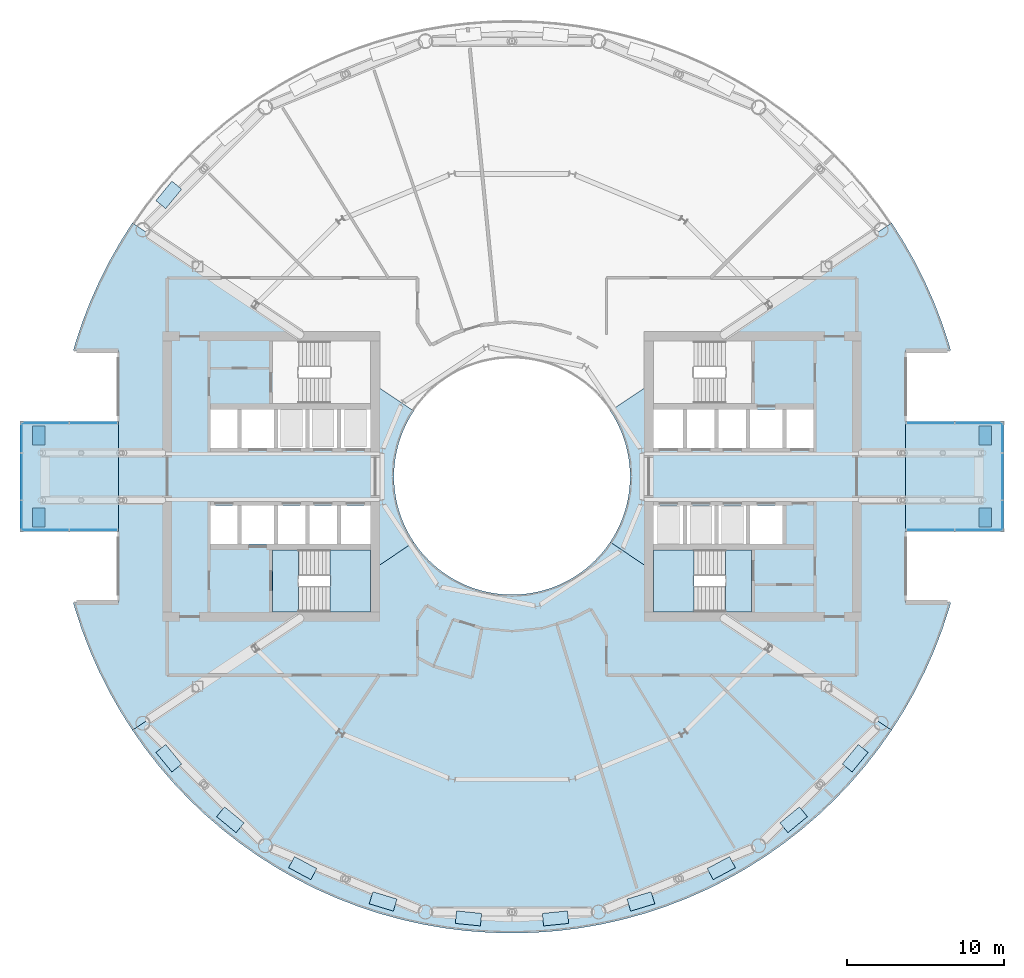
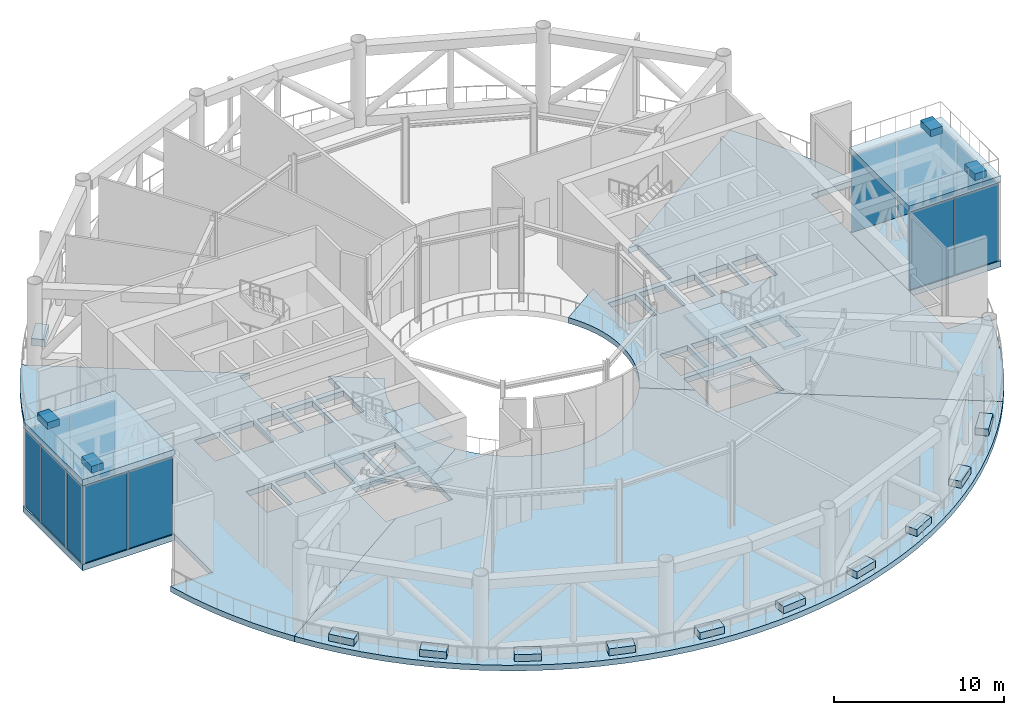
# One storey, part 11 of 25: 28 slabs, 14 plates, 8 elements without a shape of their own.
"""IFC4 building model written with IfcOpenShell, lengths in metres."""

from ifc_helpers import new_model, si_unit, direction, frame, origin, origin_2d, place, context, subcontext, project, spatial, polyline, rectangle, outline, extrude, material, layer, layer_set, type_object, element, aggregate, save


model = new_model("IFC4")

# Units and contexts
model_context = context("Model", 3, precision=1e-05, world=origin(), true_north=direction((0.0, 1.0)))
body_context = subcontext(model_context, "Body", "Model", "MODEL_VIEW")
ifc_project = project(units=[si_unit("LENGTHUNIT", "METRE"), si_unit("AREAUNIT", "SQUARE_METRE"), si_unit("VOLUMEUNIT", "CUBIC_METRE"), si_unit("PLANEANGLEUNIT", "RADIAN"), si_unit("MASSUNIT", "GRAM", prefix="KILO")], contexts=[model_context])

# Site, building, storey
site_placement = place(None, origin())
site = spatial("IfcSite", under=ifc_project, at=site_placement, CompositionType="ELEMENT")
building_placement = place(site_placement, origin())
building = spatial("IfcBuilding", under=site, at=building_placement, Name="Maasbend Ring Residences", CompositionType="ELEMENT")
storey_placement = place(building_placement, frame((0.0, 0.0, 139.10009765625)))
storey = spatial("IfcBuildingStorey", under=building, at=storey_placement, Name="L40", CompositionType="ELEMENT", Elevation=139.10009765625)

# Stair, slabs
ifc_material_1 = material(Name="Concrete C40/50", Category="concrete")
stair_type = type_object("IfcStairType", Name="CORE STAIR 36 RISERS", PredefinedType="HALF_TURN_STAIR", material=ifc_material_1)
stair_1_placement = place(storey_placement, origin())
stair_1 = element("IfcStair", 1, at=stair_1_placement, inside=storey, type_object=stair_type, Name="L40 Exit stair ST-E2", PredefinedType="HALF_TURN_STAIR")
ifc_material_2 = material(Name="Concrete C40/50", Category="concrete")
ifc_layer_1 = layer(ifc_material_2, 0.199951171875)
ifc_layer_set_1 = layer_set([ifc_layer_1], Name="Concrete C40/50")
slab_type_1 = type_object("IfcSlabType", Name="CORE STAIR LANDING 200", PredefinedType="LANDING", material=ifc_layer_set_1)
slab_1_placement = place(storey_placement, frame((0.0, 0.0, 1.324951171875)))
slab_1 = element("IfcSlab", 2, at=slab_1_placement, type_object=slab_type_1, Name="ST-E2 landing 1", PredefinedType="LANDING", context=body_context, shape_type="SweptSolid", body=[
    extrude(outline(polyline([(11.550048828125, -4.64990234375), (9.0, -4.64990234375), (9.0, -8.60009765625), (11.550048828125, -8.60009765625), (11.550048828125, -4.64990234375)])), origin(), (0.0, 0.0, 1.0), 0.199951171875),
])
slab_2_placement = place(storey_placement, frame((0.0, 0.0, 2.849853515625)))
slab_2 = element("IfcSlab", 3, at=slab_2_placement, type_object=slab_type_1, Name="ST-E2 landing 2", PredefinedType="LANDING", context=body_context, shape_type="SweptSolid", body=[
    extrude(outline(polyline([(15.199951171875, -4.64990234375), (13.550048828125, -4.64990234375), (13.550048828125, -8.60009765625), (15.199951171875, -8.60009765625), (15.199951171875, -4.64990234375)])), origin(), (0.0, 0.0, 1.0), 0.199951171875),
])
slab_3_placement = place(storey_placement, frame((0.0, 0.0, 4.375)))
slab_3 = element("IfcSlab", 4, at=slab_3_placement, type_object=slab_type_1, Name="ST-E2 landing 3", PredefinedType="LANDING", context=body_context, shape_type="SweptSolid", body=[
    extrude(outline(polyline([(11.550048828125, -4.64990234375), (9.0, -4.64990234375), (9.0, -8.60009765625), (11.550048828125, -8.60009765625), (11.550048828125, -4.64990234375)])), origin(), (0.0, 0.0, 1.0), 0.199951171875),
])
aggregate(stair_1, [slab_1, slab_2, slab_3])

stair_2_placement = place(storey_placement, origin())
stair_2 = element("IfcStair", 5, at=stair_2_placement, inside=storey, type_object=stair_type, Name="L40 Exit stair ST-W1", PredefinedType="HALF_TURN_STAIR")
slab_4_placement = place(storey_placement, frame((0.0, 0.0, 1.324951171875)))
slab_4 = element("IfcSlab", 6, at=slab_4_placement, type_object=slab_type_1, Name="ST-W1 landing 1", PredefinedType="LANDING", context=body_context, shape_type="SweptSolid", body=[
    extrude(outline(polyline([(-11.550048828125, -8.60009765625), (-9.0, -8.60009765625), (-9.0, -4.64990234375), (-11.550048828125, -4.64990234375), (-11.550048828125, -8.60009765625)])), origin(), (0.0, 0.0, 1.0), 0.199951171875),
])
slab_5_placement = place(storey_placement, frame((0.0, 0.0, 2.849853515625)))
slab_5 = element("IfcSlab", 7, at=slab_5_placement, type_object=slab_type_1, Name="ST-W1 landing 2", PredefinedType="LANDING", context=body_context, shape_type="SweptSolid", body=[
    extrude(outline(polyline([(-15.199951171875, -8.60009765625), (-13.550048828125, -8.60009765625), (-13.550048828125, -4.64990234375), (-15.199951171875, -4.64990234375), (-15.199951171875, -8.60009765625)])), origin(), (0.0, 0.0, 1.0), 0.199951171875),
])
slab_6_placement = place(storey_placement, frame((0.0, 0.0, 4.375)))
slab_6 = element("IfcSlab", 8, at=slab_6_placement, type_object=slab_type_1, Name="ST-W1 landing 3", PredefinedType="LANDING", context=body_context, shape_type="SweptSolid", body=[
    extrude(outline(polyline([(-11.550048828125, -8.60009765625), (-9.0, -8.60009765625), (-9.0, -4.64990234375), (-11.550048828125, -4.64990234375), (-11.550048828125, -8.60009765625)])), origin(), (0.0, 0.0, 1.0), 0.199951171875),
])
aggregate(stair_2, [slab_4, slab_5, slab_6])

# Curtain wall, plates
ifc_material_3 = material(Name="Aluminium and clear glass", Category="aluminium")
ifc_layer_2 = layer(ifc_material_3, 0.199951171875)
ifc_layer_set_2 = layer_set([ifc_layer_2], Name="CW-GR")
curtain_wall_type = type_object("IfcCurtainWallType", Name="CW-GR", PredefinedType="NOTDEFINED", material=ifc_layer_set_2)
curtain_wall_1_placement = place(storey_placement, origin())
curtain_wall_1 = element("IfcCurtainWall", 9, at=curtain_wall_1_placement, inside=storey, type_object=curtain_wall_type, Name="Glass lounge curtain wall tip", PredefinedType="NOTDEFINED")
ifc_material_4 = material(Name="Glass clear laminated", Category="glass")
ifc_layer_3 = layer(ifc_material_4, 0.035888671875)
ifc_layer_set_3 = layer_set([ifc_layer_3], Name="CWP-GR")
plate_type = type_object("IfcPlateType", Name="CWP-GR", PredefinedType="CURTAIN_PANEL", material=ifc_layer_set_3)
plate_1_placement = place(storey_placement, frame((31.14990234375, -2.482421875, 0.0), z_axis=(0.0, 0.0, 1.0), x_axis=(0.0, 1.0, 0.0)))
plate_1 = element("IfcPlate", 10, at=plate_1_placement, type_object=plate_type, Name="Glass panel glass room", PredefinedType="CURTAIN_PANEL", context=body_context, shape_type="SweptSolid", body=[
    extrude(rectangle(XDim=1.89501953125, YDim=0.035888671875, at=origin_2d()), origin(), (0.0, 0.0, 1.0), 5.510009765625),
])
plate_2_placement = place(storey_placement, frame((31.14990234375, 0.0, 0.0), z_axis=(0.0, 0.0, 1.0), x_axis=(0.0, 1.0, 0.0)))
plate_2 = element("IfcPlate", 11, at=plate_2_placement, type_object=plate_type, Name="Glass panel glass room", PredefinedType="CURTAIN_PANEL", context=body_context, shape_type="SweptSolid", body=[
    extrude(rectangle(XDim=2.929931640625, YDim=0.035888671875, at=origin_2d()), origin(), (0.0, 0.0, 1.0), 5.510009765625),
])
plate_3_placement = place(storey_placement, frame((31.14990234375, 2.482421875, 0.0), z_axis=(0.0, 0.0, 1.0), x_axis=(0.0, 1.0, 0.0)))
plate_3 = element("IfcPlate", 12, at=plate_3_placement, type_object=plate_type, Name="Glass panel glass room", PredefinedType="CURTAIN_PANEL", context=body_context, shape_type="SweptSolid", body=[
    extrude(rectangle(XDim=1.89501953125, YDim=0.035888671875, at=origin_2d()), origin(), (0.0, 0.0, 1.0), 5.510009765625),
])
aggregate(curtain_wall_1, [plate_1, plate_2, plate_3])

curtain_wall_2_placement = place(storey_placement, origin())
curtain_wall_2 = element("IfcCurtainWall", 13, at=curtain_wall_2_placement, inside=storey, type_object=curtain_wall_type, Name="Glass lounge curtain wall south", PredefinedType="NOTDEFINED")
plate_4_placement = place(storey_placement, frame((26.580078125, -3.39990234375, 0.0), z_axis=(0.0, 0.0, 1.0), x_axis=(1.0, 0.0, 0.0)))
plate_4 = element("IfcPlate", 14, at=plate_4_placement, type_object=plate_type, Name="Glass panel glass room", PredefinedType="CURTAIN_PANEL", context=body_context, shape_type="SweptSolid", body=[
    extrude(rectangle(XDim=3.02001953125, YDim=0.035888671875, at=origin_2d()), origin(), (0.0, 0.0, 1.0), 5.510009765625),
])
plate_5_placement = place(storey_placement, frame((29.669921875, -3.39990234375, 0.0), z_axis=(0.0, 0.0, 1.0), x_axis=(1.0, 0.0, 0.0)))
plate_5 = element("IfcPlate", 15, at=plate_5_placement, type_object=plate_type, Name="Glass panel glass room", PredefinedType="CURTAIN_PANEL", context=body_context, shape_type="SweptSolid", body=[
    extrude(rectangle(XDim=3.02001953125, YDim=0.035888671875, at=origin_2d()), origin(), (0.0, 0.0, 1.0), 5.510009765625),
])
aggregate(curtain_wall_2, [plate_4, plate_5])

curtain_wall_3_placement = place(storey_placement, origin())
curtain_wall_3 = element("IfcCurtainWall", 16, at=curtain_wall_3_placement, inside=storey, type_object=curtain_wall_type, Name="Glass lounge curtain wall north", PredefinedType="NOTDEFINED")
plate_6_placement = place(storey_placement, frame((26.580078125, 3.39990234375, 0.0), z_axis=(0.0, 0.0, 1.0), x_axis=(1.0, 0.0, 0.0)))
plate_6 = element("IfcPlate", 17, at=plate_6_placement, type_object=plate_type, Name="Glass panel glass room", PredefinedType="CURTAIN_PANEL", context=body_context, shape_type="SweptSolid", body=[
    extrude(rectangle(XDim=3.02001953125, YDim=0.035888671875, at=origin_2d()), origin(), (0.0, 0.0, 1.0), 5.510009765625),
])
plate_7_placement = place(storey_placement, frame((29.669921875, 3.39990234375, 0.0), z_axis=(0.0, 0.0, 1.0), x_axis=(1.0, 0.0, 0.0)))
plate_7 = element("IfcPlate", 18, at=plate_7_placement, type_object=plate_type, Name="Glass panel glass room", PredefinedType="CURTAIN_PANEL", context=body_context, shape_type="SweptSolid", body=[
    extrude(rectangle(XDim=3.02001953125, YDim=0.035888671875, at=origin_2d()), origin(), (0.0, 0.0, 1.0), 5.510009765625),
])
aggregate(curtain_wall_3, [plate_6, plate_7])

curtain_wall_4_placement = place(storey_placement, origin())
curtain_wall_4 = element("IfcCurtainWall", 19, at=curtain_wall_4_placement, inside=storey, type_object=curtain_wall_type, Name="Glass lounge curtain wall tip", PredefinedType="NOTDEFINED")
plate_8_placement = place(storey_placement, frame((-31.14990234375, -2.482421875, 0.0), z_axis=(0.0, 0.0, 1.0), x_axis=(0.0, 1.0, 0.0)))
plate_8 = element("IfcPlate", 20, at=plate_8_placement, type_object=plate_type, Name="Glass panel glass room", PredefinedType="CURTAIN_PANEL", context=body_context, shape_type="SweptSolid", body=[
    extrude(rectangle(XDim=1.89501953125, YDim=0.035888671875, at=origin_2d()), origin(), (0.0, 0.0, 1.0), 5.510009765625),
])
plate_9_placement = place(storey_placement, frame((-31.14990234375, 0.0, 0.0), z_axis=(0.0, 0.0, 1.0), x_axis=(0.0, 1.0, 0.0)))
plate_9 = element("IfcPlate", 21, at=plate_9_placement, type_object=plate_type, Name="Glass panel glass room", PredefinedType="CURTAIN_PANEL", context=body_context, shape_type="SweptSolid", body=[
    extrude(rectangle(XDim=2.929931640625, YDim=0.035888671875, at=origin_2d()), origin(), (0.0, 0.0, 1.0), 5.510009765625),
])
plate_10_placement = place(storey_placement, frame((-31.14990234375, 2.482421875, 0.0), z_axis=(0.0, 0.0, 1.0), x_axis=(0.0, 1.0, 0.0)))
plate_10 = element("IfcPlate", 22, at=plate_10_placement, type_object=plate_type, Name="Glass panel glass room", PredefinedType="CURTAIN_PANEL", context=body_context, shape_type="SweptSolid", body=[
    extrude(rectangle(XDim=1.89501953125, YDim=0.035888671875, at=origin_2d()), origin(), (0.0, 0.0, 1.0), 5.510009765625),
])
aggregate(curtain_wall_4, [plate_8, plate_9, plate_10])

curtain_wall_5_placement = place(storey_placement, origin())
curtain_wall_5 = element("IfcCurtainWall", 23, at=curtain_wall_5_placement, inside=storey, type_object=curtain_wall_type, Name="Glass lounge curtain wall south", PredefinedType="NOTDEFINED")
plate_11_placement = place(storey_placement, frame((-26.580078125, -3.39990234375, 0.0), z_axis=(0.0, 0.0, 1.0), x_axis=(-1.0, 0.0, 0.0)))
plate_11 = element("IfcPlate", 24, at=plate_11_placement, type_object=plate_type, Name="Glass panel glass room", PredefinedType="CURTAIN_PANEL", context=body_context, shape_type="SweptSolid", body=[
    extrude(rectangle(XDim=3.02001953125, YDim=0.035888671875, at=origin_2d()), origin(), (0.0, 0.0, 1.0), 5.510009765625),
])
plate_12_placement = place(storey_placement, frame((-29.669921875, -3.39990234375, 0.0), z_axis=(0.0, 0.0, 1.0), x_axis=(-1.0, 0.0, 0.0)))
plate_12 = element("IfcPlate", 25, at=plate_12_placement, type_object=plate_type, Name="Glass panel glass room", PredefinedType="CURTAIN_PANEL", context=body_context, shape_type="SweptSolid", body=[
    extrude(rectangle(XDim=3.02001953125, YDim=0.035888671875, at=origin_2d()), origin(), (0.0, 0.0, 1.0), 5.510009765625),
])
aggregate(curtain_wall_5, [plate_11, plate_12])

curtain_wall_6_placement = place(storey_placement, origin())
curtain_wall_6 = element("IfcCurtainWall", 26, at=curtain_wall_6_placement, inside=storey, type_object=curtain_wall_type, Name="Glass lounge curtain wall north", PredefinedType="NOTDEFINED")
plate_13_placement = place(storey_placement, frame((-26.580078125, 3.39990234375, 0.0), z_axis=(0.0, 0.0, 1.0), x_axis=(-1.0, 0.0, 0.0)))
plate_13 = element("IfcPlate", 27, at=plate_13_placement, type_object=plate_type, Name="Glass panel glass room", PredefinedType="CURTAIN_PANEL", context=body_context, shape_type="SweptSolid", body=[
    extrude(rectangle(XDim=3.02001953125, YDim=0.035888671875, at=origin_2d()), origin(), (0.0, 0.0, 1.0), 5.510009765625),
])
plate_14_placement = place(storey_placement, frame((-29.669921875, 3.39990234375, 0.0), z_axis=(0.0, 0.0, 1.0), x_axis=(-1.0, 0.0, 0.0)))
plate_14 = element("IfcPlate", 28, at=plate_14_placement, type_object=plate_type, Name="Glass panel glass room", PredefinedType="CURTAIN_PANEL", context=body_context, shape_type="SweptSolid", body=[
    extrude(rectangle(XDim=3.02001953125, YDim=0.035888671875, at=origin_2d()), origin(), (0.0, 0.0, 1.0), 5.510009765625),
])
aggregate(curtain_wall_6, [plate_13, plate_14])

# Slabs
ifc_material_5 = material(Name="Lawn and planting")
ifc_layer_4 = layer(ifc_material_5, 0.5)
ifc_layer_set_4 = layer_set([ifc_layer_4], Name="PLANTER-GD")
slab_type_2 = type_object("IfcSlabType", Name="PLANTER-GD", PredefinedType="USERDEFINED", material=ifc_layer_set_4)
slab_7_placement = place(storey_placement, origin())
element("IfcSlab", 29, at=slab_7_placement, inside=storey, type_object=slab_type_2, Name="Garden planter 10", ObjectType="PLANTER", PredefinedType="USERDEFINED", context=body_context, shape_type="SweptSolid", body=[
    extrude(outline(polyline([(-21.60107421875, 18.761962890625), (-22.615966796875, 17.52490234375), (-21.9970703125, 17.01806640625), (-20.98193359375, 18.2548828125), (-21.60107421875, 18.761962890625)])), origin(), (0.0, 0.0, 1.0), 0.5),
])
slab_8_placement = place(storey_placement, origin())
element("IfcSlab", 30, at=slab_8_placement, inside=storey, type_object=slab_type_2, Name="Garden planter 11", ObjectType="PLANTER", PredefinedType="USERDEFINED", context=body_context, shape_type="SweptSolid", body=[
    extrude(outline(polyline([(-22.615966796875, -17.52490234375), (-21.60107421875, -18.761962890625), (-20.98193359375, -18.2548828125), (-21.9970703125, -17.01806640625), (-22.615966796875, -17.52490234375)])), origin(), (0.0, 0.0, 1.0), 0.5),
])
slab_9_placement = place(storey_placement, origin())
element("IfcSlab", 31, at=slab_9_placement, inside=storey, type_object=slab_type_2, Name="Garden planter 12", ObjectType="PLANTER", PredefinedType="USERDEFINED", context=body_context, shape_type="SweptSolid", body=[
    extrude(outline(polyline([(-18.761962890625, -21.60107421875), (-17.52490234375, -22.615966796875), (-17.01806640625, -21.9970703125), (-18.2548828125, -20.98193359375), (-18.761962890625, -21.60107421875)])), origin(), (0.0, 0.0, 1.0), 0.5),
])
slab_10_placement = place(storey_placement, origin())
element("IfcSlab", 32, at=slab_10_placement, inside=storey, type_object=slab_type_2, Name="Garden planter 13", ObjectType="PLANTER", PredefinedType="USERDEFINED", context=body_context, shape_type="SweptSolid", body=[
    extrude(outline(polyline([(-14.18701171875, -24.845947265625), (-12.77587890625, -25.60009765625), (-12.39892578125, -24.89501953125), (-13.81005859375, -24.139892578125), (-14.18701171875, -24.845947265625)])), origin(), (0.0, 0.0, 1.0), 0.5),
])
slab_11_placement = place(storey_placement, origin())
element("IfcSlab", 33, at=slab_11_placement, inside=storey, type_object=slab_type_2, Name="Garden planter 14", ObjectType="PLANTER", PredefinedType="USERDEFINED", context=body_context, shape_type="SweptSolid", body=[
    extrude(outline(polyline([(-9.068115234375, -27.135986328125), (-7.537109375, -27.60107421875), (-7.303955078125, -26.8349609375), (-8.8349609375, -26.37109375), (-9.068115234375, -27.135986328125)])), origin(), (0.0, 0.0, 1.0), 0.5),
])
slab_12_placement = place(storey_placement, origin())
element("IfcSlab", 34, at=slab_12_placement, inside=storey, type_object=slab_type_2, Name="Garden planter 15", ObjectType="PLANTER", PredefinedType="USERDEFINED", context=body_context, shape_type="SweptSolid", body=[
    extrude(outline(polyline([(-3.59912109375, -28.384033203125), (-2.007080078125, -28.541015625), (-1.928955078125, -27.7451171875), (-3.52099609375, -27.587890625), (-3.59912109375, -28.384033203125)])), origin(), (0.0, 0.0, 1.0), 0.5),
])
slab_13_placement = place(storey_placement, origin())
element("IfcSlab", 35, at=slab_13_placement, inside=storey, type_object=slab_type_2, Name="Garden planter 16", ObjectType="PLANTER", PredefinedType="USERDEFINED", context=body_context, shape_type="SweptSolid", body=[
    extrude(outline(polyline([(2.007080078125, -28.541015625), (3.59912109375, -28.384033203125), (3.52099609375, -27.587890625), (1.928955078125, -27.7451171875), (2.007080078125, -28.541015625)])), origin(), (0.0, 0.0, 1.0), 0.5),
])
slab_14_placement = place(storey_placement, origin())
element("IfcSlab", 36, at=slab_14_placement, inside=storey, type_object=slab_type_2, Name="Garden planter 17", ObjectType="PLANTER", PredefinedType="USERDEFINED", context=body_context, shape_type="SweptSolid", body=[
    extrude(outline(polyline([(7.537109375, -27.60107421875), (9.068115234375, -27.135986328125), (8.8349609375, -26.37109375), (7.303955078125, -26.8349609375), (7.537109375, -27.60107421875)])), origin(), (0.0, 0.0, 1.0), 0.5),
])
slab_15_placement = place(storey_placement, origin())
element("IfcSlab", 37, at=slab_15_placement, inside=storey, type_object=slab_type_2, Name="Garden planter 18", ObjectType="PLANTER", PredefinedType="USERDEFINED", context=body_context, shape_type="SweptSolid", body=[
    extrude(outline(polyline([(12.77587890625, -25.60009765625), (14.18701171875, -24.845947265625), (13.81005859375, -24.139892578125), (12.39892578125, -24.89501953125), (12.77587890625, -25.60009765625)])), origin(), (0.0, 0.0, 1.0), 0.5),
])
slab_16_placement = place(storey_placement, origin())
element("IfcSlab", 38, at=slab_16_placement, inside=storey, type_object=slab_type_2, Name="Garden planter 19", ObjectType="PLANTER", PredefinedType="USERDEFINED", context=body_context, shape_type="SweptSolid", body=[
    extrude(outline(polyline([(17.52490234375, -22.615966796875), (18.761962890625, -21.60107421875), (18.2548828125, -20.98193359375), (17.01806640625, -21.9970703125), (17.52490234375, -22.615966796875)])), origin(), (0.0, 0.0, 1.0), 0.5),
])
slab_17_placement = place(storey_placement, origin())
element("IfcSlab", 39, at=slab_17_placement, inside=storey, type_object=slab_type_2, Name="Garden planter 20", ObjectType="PLANTER", PredefinedType="USERDEFINED", context=body_context, shape_type="SweptSolid", body=[
    extrude(outline(polyline([(21.60107421875, -18.761962890625), (22.615966796875, -17.52490234375), (21.9970703125, -17.01806640625), (20.98193359375, -18.2548828125), (21.60107421875, -18.761962890625)])), origin(), (0.0, 0.0, 1.0), 0.5),
])
slab_18_placement = place(storey_placement, frame((0.0, 0.0, 6.099853515625)))
element("IfcSlab", 40, at=slab_18_placement, inside=storey, type_object=slab_type_2, Name="Terrace planter 1", ObjectType="PLANTER", PredefinedType="USERDEFINED", context=body_context, shape_type="SweptSolid", body=[
    extrude(outline(polyline([(29.64990234375, -3.199951171875), (30.449951171875, -3.199951171875), (30.449951171875, -2.0), (29.64990234375, -2.0), (29.64990234375, -3.199951171875)])), origin(), (0.0, 0.0, 1.0), 0.5),
])
slab_19_placement = place(storey_placement, frame((0.0, 0.0, 6.099853515625)))
element("IfcSlab", 41, at=slab_19_placement, inside=storey, type_object=slab_type_2, Name="Terrace planter 2", ObjectType="PLANTER", PredefinedType="USERDEFINED", context=body_context, shape_type="SweptSolid", body=[
    extrude(outline(polyline([(29.64990234375, 2.0), (30.449951171875, 2.0), (30.449951171875, 3.199951171875), (29.64990234375, 3.199951171875), (29.64990234375, 2.0)])), origin(), (0.0, 0.0, 1.0), 0.5),
])
slab_20_placement = place(storey_placement, frame((0.0, 0.0, 6.099853515625)))
element("IfcSlab", 42, at=slab_20_placement, inside=storey, type_object=slab_type_2, Name="Terrace planter 1", ObjectType="PLANTER", PredefinedType="USERDEFINED", context=body_context, shape_type="SweptSolid", body=[
    extrude(outline(polyline([(-30.449951171875, -3.199951171875), (-29.64990234375, -3.199951171875), (-29.64990234375, -2.0), (-30.449951171875, -2.0), (-30.449951171875, -3.199951171875)])), origin(), (0.0, 0.0, 1.0), 0.5),
])
slab_21_placement = place(storey_placement, frame((0.0, 0.0, 6.099853515625)))
element("IfcSlab", 43, at=slab_21_placement, inside=storey, type_object=slab_type_2, Name="Terrace planter 2", ObjectType="PLANTER", PredefinedType="USERDEFINED", context=body_context, shape_type="SweptSolid", body=[
    extrude(outline(polyline([(-30.449951171875, 2.0), (-29.64990234375, 2.0), (-29.64990234375, 3.199951171875), (-30.449951171875, 3.199951171875), (-30.449951171875, 2.0)])), origin(), (0.0, 0.0, 1.0), 0.5),
])
ifc_material_6 = material(Name="Concrete C40/50", Category="concrete")
ifc_layer_5 = layer(ifc_material_6, 0.39990234375)
ifc_layer_set_5 = layer_set([ifc_layer_5], Name="Concrete C40/50")
slab_type_3 = type_object("IfcSlabType", Name="Post-tensioned flat plate 400", PredefinedType="FLOOR", material=ifc_layer_set_5)
slab_22_placement = place(storey_placement, frame((0.0, 0.0, -0.400146484375)))
element("IfcSlab", 44, at=slab_22_placement, inside=storey, type_object=slab_type_3, Name="Floor slab L40 sky garden", PredefinedType="FLOOR", context=body_context, shape_type="SweptSolid", body=[
    extrude(outline(polyline([(24.112548828125, -16.111572265625), (12.870849609375, -8.60009765625), (9.0, -8.60009765625), (9.0, -6.013671875), (6.236083984375, -4.166748046875), (6.024169921875, -4.4677734375), (5.797607421875, -4.7578125), (5.55712890625, -5.03662109375), (5.30322265625, -5.30322265625), (5.03662109375, -5.55712890625), (4.7578125, -5.797607421875), (4.4677734375, -6.024169921875), (4.166748046875, -6.236083984375), (3.855712890625, -6.43310546875), (3.535400390625, -6.614501953125), (3.206787109375, -6.77978515625), (2.8701171875, -6.92919921875), (2.526611328125, -7.0615234375), (2.177001953125, -7.177001953125), (1.822509765625, -7.275146484375), (1.463134765625, -7.35595703125), (1.1005859375, -7.418701171875), (0.735107421875, -7.4638671875), (0.367919921875, -7.490966796875), (0.0, -7.5), (-0.367919921875, -7.490966796875), (-0.735107421875, -7.4638671875), (-1.1005859375, -7.418701171875), (-1.463134765625, -7.35595703125), (-1.822509765625, -7.275146484375), (-2.177001953125, -7.177001953125), (-2.526611328125, -7.0615234375), (-2.8701171875, -6.92919921875), (-3.206787109375, -6.77978515625), (-3.535400390625, -6.614501953125), (-3.855712890625, -6.43310546875), (-4.166748046875, -6.236083984375), (-4.4677734375, -6.024169921875), (-4.7578125, -5.797607421875), (-5.03662109375, -5.55712890625), (-5.30322265625, -5.30322265625), (-5.55712890625, -5.03662109375), (-5.797607421875, -4.7578125), (-6.024169921875, -4.4677734375), (-6.236083984375, -4.166748046875), (-9.0, -6.013671875), (-9.0, -8.60009765625), (-12.870849609375, -8.60009765625), (-24.112548828125, -16.111572265625), (-23.29296875, -17.275390625), (-22.417236328125, -18.3974609375), (-21.487548828125, -19.47509765625), (-20.506103515625, -20.506103515625), (-19.47509765625, -21.487548828125), (-18.3974609375, -22.417236328125), (-17.275390625, -23.29296875), (-16.111572265625, -24.112548828125), (-14.908935546875, -24.8740234375), (-13.67041015625, -25.57568359375), (-12.399169921875, -26.2158203125), (-11.097900390625, -26.79248046875), (-9.769775390625, -27.3046875), (-8.418212890625, -27.751220703125), (-7.04638671875, -28.130859375), (-5.65771484375, -28.44287109375), (-4.255126953125, -28.68603515625), (-2.842529296875, -28.8603515625), (-1.423095703125, -28.965087890625), (0.0, -29.0), (1.423095703125, -28.965087890625), (2.842529296875, -28.8603515625), (4.255126953125, -28.68603515625), (5.65771484375, -28.44287109375), (7.04638671875, -28.130859375), (8.418212890625, -27.751220703125), (9.769775390625, -27.3046875), (11.097900390625, -26.79248046875), (12.399169921875, -26.2158203125), (13.67041015625, -25.57568359375), (14.908935546875, -24.8740234375), (16.111572265625, -24.112548828125), (17.275390625, -23.29296875), (18.3974609375, -22.417236328125), (19.47509765625, -21.487548828125), (20.506103515625, -20.506103515625), (21.487548828125, -19.47509765625), (22.417236328125, -18.3974609375), (23.29296875, -17.275390625), (24.112548828125, -16.111572265625)])), origin(), (0.0, 0.0, 1.0), 0.400146484375),
])
slab_23_placement = place(storey_placement, frame((0.0, 0.0, -0.400146484375)))
element("IfcSlab", 45, at=slab_23_placement, inside=storey, type_object=slab_type_3, Name="Floor slab L40 core zone", PredefinedType="FLOOR", context=body_context, shape_type="SweptSolid", body=[
    extrude(outline(polyline([(26.2158203125, -12.399169921875), (26.79248046875, -11.097900390625), (27.3046875, -9.769775390625), (27.751220703125, -8.418212890625), (27.866943359375, -8.0), (25.0, -8.0), (25.0, 8.0), (27.866943359375, 8.0), (27.751220703125, 8.418212890625), (27.3046875, 9.769775390625), (26.79248046875, 11.097900390625), (26.2158203125, 12.399169921875), (25.57568359375, 13.67041015625), (24.8740234375, 14.908935546875), (24.112548828125, 16.111572265625), (12.870849609375, 8.60009765625), (13.550048828125, 8.60009765625), (13.550048828125, 4.64990234375), (9.0, 4.64990234375), (9.0, 6.013671875), (6.236083984375, 4.166748046875), (6.43310546875, 3.855712890625), (6.614501953125, 3.535400390625), (6.77978515625, 3.206787109375), (6.92919921875, 2.8701171875), (7.0615234375, 2.526611328125), (7.177001953125, 2.177001953125), (7.275146484375, 1.822509765625), (7.35595703125, 1.463134765625), (7.418701171875, 1.1005859375), (7.4638671875, 0.735107421875), (7.490966796875, 0.367919921875), (7.5, 0.0), (7.490966796875, -0.367919921875), (7.4638671875, -0.735107421875), (7.418701171875, -1.1005859375), (7.35595703125, -1.463134765625), (7.275146484375, -1.822509765625), (7.177001953125, -2.177001953125), (7.0615234375, -2.526611328125), (6.92919921875, -2.8701171875), (6.77978515625, -3.206787109375), (6.614501953125, -3.535400390625), (6.43310546875, -3.855712890625), (6.236083984375, -4.166748046875), (9.0, -6.013671875), (9.0, -4.64990234375), (13.550048828125, -4.64990234375), (13.550048828125, -8.60009765625), (12.870849609375, -8.60009765625), (24.112548828125, -16.111572265625), (24.8740234375, -14.908935546875), (25.57568359375, -13.67041015625), (26.2158203125, -12.399169921875)]), holes=[polyline([(17.425048828125, 1.824951171875), (17.425048828125, 4.27490234375), (19.14990234375, 4.27490234375), (19.14990234375, 1.824951171875), (17.425048828125, 1.824951171875)]), polyline([(15.125, -4.27490234375), (15.125, -1.824951171875), (17.175048828125, -1.824951171875), (17.175048828125, -4.27490234375), (15.125, -4.27490234375)]), polyline([(17.175048828125, 1.824951171875), (15.125, 1.824951171875), (15.125, 4.27490234375), (17.175048828125, 4.27490234375), (17.175048828125, 1.824951171875)]), polyline([(13.125, -4.27490234375), (13.125, -1.824951171875), (14.875, -1.824951171875), (14.875, -4.27490234375), (13.125, -4.27490234375)]), polyline([(13.125, 1.824951171875), (13.125, 4.27490234375), (14.875, 4.27490234375), (14.875, 1.824951171875), (13.125, 1.824951171875)]), polyline([(12.875, -4.27490234375), (11.125, -4.27490234375), (11.125, -1.824951171875), (12.875, -1.824951171875), (12.875, -4.27490234375)]), polyline([(11.125, 1.824951171875), (11.125, 4.27490234375), (12.875, 4.27490234375), (12.875, 1.824951171875), (11.125, 1.824951171875)]), polyline([(9.0, -4.27490234375), (9.0, -1.824951171875), (10.875, -1.824951171875), (10.875, -4.27490234375), (9.0, -4.27490234375)]), polyline([(10.875, 1.824951171875), (9.0, 1.824951171875), (9.0, 4.27490234375), (10.875, 4.27490234375), (10.875, 1.824951171875)])]), origin(), (0.0, 0.0, 1.0), 0.400146484375),
])
slab_24_placement = place(storey_placement, frame((0.0, 0.0, -0.400146484375)))
element("IfcSlab", 46, at=slab_24_placement, inside=storey, type_object=slab_type_3, Name="Floor slab L40 core zone", PredefinedType="FLOOR", context=body_context, shape_type="SweptSolid", body=[
    extrude(outline(polyline([(-24.112548828125, -16.111572265625), (-12.870849609375, -8.60009765625), (-13.550048828125, -8.60009765625), (-13.550048828125, -4.64990234375), (-9.0, -4.64990234375), (-9.0, -6.013671875), (-6.236083984375, -4.166748046875), (-6.43310546875, -3.855712890625), (-6.614501953125, -3.535400390625), (-6.77978515625, -3.206787109375), (-6.92919921875, -2.8701171875), (-7.0615234375, -2.526611328125), (-7.177001953125, -2.177001953125), (-7.275146484375, -1.822509765625), (-7.35595703125, -1.463134765625), (-7.418701171875, -1.1005859375), (-7.4638671875, -0.735107421875), (-7.490966796875, -0.367919921875), (-7.5, 0.0), (-7.490966796875, 0.367919921875), (-7.4638671875, 0.735107421875), (-7.418701171875, 1.1005859375), (-7.35595703125, 1.463134765625), (-7.275146484375, 1.822509765625), (-7.177001953125, 2.177001953125), (-7.0615234375, 2.526611328125), (-6.92919921875, 2.8701171875), (-6.77978515625, 3.206787109375), (-6.614501953125, 3.535400390625), (-6.43310546875, 3.855712890625), (-6.236083984375, 4.166748046875), (-9.0, 6.013671875), (-9.0, 4.64990234375), (-13.550048828125, 4.64990234375), (-13.550048828125, 8.60009765625), (-12.870849609375, 8.60009765625), (-24.112548828125, 16.111572265625), (-24.112548828125, 16.111572265625), (-24.8740234375, 14.908935546875), (-25.57568359375, 13.67041015625), (-26.2158203125, 12.399169921875), (-26.79248046875, 11.097900390625), (-27.3046875, 9.769775390625), (-27.751220703125, 8.418212890625), (-27.866943359375, 8.0), (-25.0, 8.0), (-25.0, -8.0), (-27.866943359375, -8.0), (-27.751220703125, -8.418212890625), (-27.3046875, -9.769775390625), (-26.79248046875, -11.097900390625), (-26.2158203125, -12.399169921875), (-25.57568359375, -13.67041015625), (-24.8740234375, -14.908935546875), (-24.112548828125, -16.111572265625)]), holes=[polyline([(-10.875, -1.824951171875), (-9.0, -1.824951171875), (-9.0, -4.27490234375), (-10.875, -4.27490234375), (-10.875, -1.824951171875)]), polyline([(-9.0, 4.27490234375), (-9.0, 1.824951171875), (-10.875, 1.824951171875), (-10.875, 4.27490234375), (-9.0, 4.27490234375)]), polyline([(-11.125, -1.824951171875), (-11.125, -4.27490234375), (-12.875, -4.27490234375), (-12.875, -1.824951171875), (-11.125, -1.824951171875)]), polyline([(-11.125, 4.27490234375), (-11.125, 1.824951171875), (-12.875, 1.824951171875), (-12.875, 4.27490234375), (-11.125, 4.27490234375)]), polyline([(-13.125, -1.824951171875), (-13.125, -4.27490234375), (-14.875, -4.27490234375), (-14.875, -1.824951171875), (-13.125, -1.824951171875)]), polyline([(-14.875, 4.27490234375), (-13.125, 4.27490234375), (-13.125, 1.824951171875), (-14.875, 1.824951171875), (-14.875, 4.27490234375)]), polyline([(-17.175048828125, -1.824951171875), (-15.125, -1.824951171875), (-15.125, -4.27490234375), (-17.175048828125, -4.27490234375), (-17.175048828125, -1.824951171875)]), polyline([(-15.125, 4.27490234375), (-15.125, 1.824951171875), (-17.175048828125, 1.824951171875), (-17.175048828125, 4.27490234375), (-15.125, 4.27490234375)]), polyline([(-19.14990234375, -1.824951171875), (-17.425048828125, -1.824951171875), (-17.425048828125, -4.27490234375), (-19.14990234375, -4.27490234375), (-19.14990234375, -1.824951171875)]), polyline([(-17.425048828125, 4.27490234375), (-17.425048828125, 1.824951171875), (-19.14990234375, 1.824951171875), (-19.14990234375, 4.27490234375), (-17.425048828125, 4.27490234375)])]), origin(), (0.0, 0.0, 1.0), 0.400146484375),
])
ifc_material_7 = material(Name="Concrete C40/50", Category="concrete")
ifc_layer_6 = layer(ifc_material_7, 0.449951171875)
ifc_layer_set_6 = layer_set([ifc_layer_6], Name="Concrete C40/50")
slab_type_4 = type_object("IfcSlabType", Name="SL-ROOM", PredefinedType="FLOOR", material=ifc_layer_set_6)
slab_25_placement = place(storey_placement, frame((0.0, 0.0, -0.4501953125)))
element("IfcSlab", 47, at=slab_25_placement, inside=storey, type_object=slab_type_4, Name="Glass lounge floor", PredefinedType="FLOOR", context=body_context, shape_type="SweptSolid", body=[
    extrude(outline(polyline([(25.0, -3.5), (31.25, -3.5), (31.25, 3.5), (25.0, 3.5), (25.0, -3.5)])), origin(), (0.0, 0.0, 1.0), 0.4501953125),
])
slab_26_placement = place(storey_placement, frame((0.0, 0.0, -0.4501953125)))
element("IfcSlab", 48, at=slab_26_placement, inside=storey, type_object=slab_type_4, Name="Glass lounge floor", PredefinedType="FLOOR", context=body_context, shape_type="SweptSolid", body=[
    extrude(outline(polyline([(-31.25, -3.5), (-25.0, -3.5), (-25.0, 3.5), (-31.25, 3.5), (-31.25, -3.5)])), origin(), (0.0, 0.0, 1.0), 0.4501953125),
])
ifc_material_8 = material(Name="Concrete C40/50", Category="concrete")
ifc_layer_7 = layer(ifc_material_8, 0.449951171875)
ifc_layer_set_7 = layer_set([ifc_layer_7], Name="Concrete C40/50")
slab_type_5 = type_object("IfcSlabType", Name="SL-TERRACE", PredefinedType="ROOF", material=ifc_layer_set_7)
slab_27_placement = place(storey_placement, frame((0.0, 0.0, 5.64990234375)))
element("IfcSlab", 49, at=slab_27_placement, inside=storey, type_object=slab_type_5, Name="Glass lounge roof terrace", PredefinedType="ROOF", context=body_context, shape_type="SweptSolid", body=[
    extrude(outline(polyline([(25.0, -3.5), (31.25, -3.5), (31.25, 3.5), (25.0, 3.5), (25.0, -3.5)])), origin(), (0.0, 0.0, 1.0), 0.449951171875),
])
slab_28_placement = place(storey_placement, frame((0.0, 0.0, 5.64990234375)))
element("IfcSlab", 50, at=slab_28_placement, inside=storey, type_object=slab_type_5, Name="Glass lounge roof terrace", PredefinedType="ROOF", context=body_context, shape_type="SweptSolid", body=[
    extrude(outline(polyline([(-31.25, -3.5), (-25.0, -3.5), (-25.0, 3.5), (-31.25, 3.5), (-31.25, -3.5)])), origin(), (0.0, 0.0, 1.0), 0.449951171875),
])

save(model, "model.ifc")
